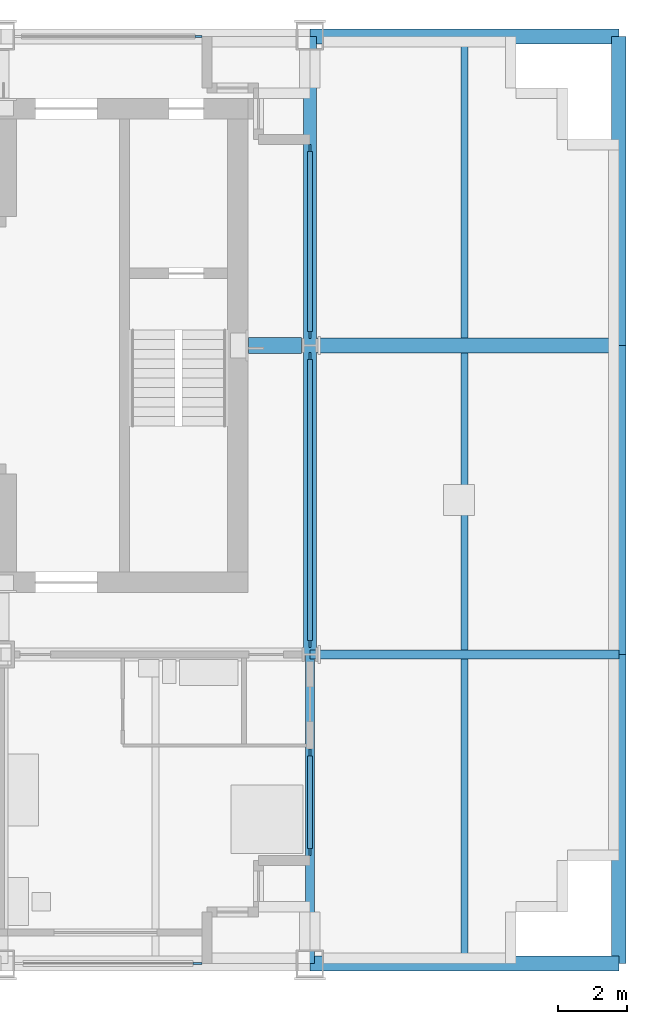
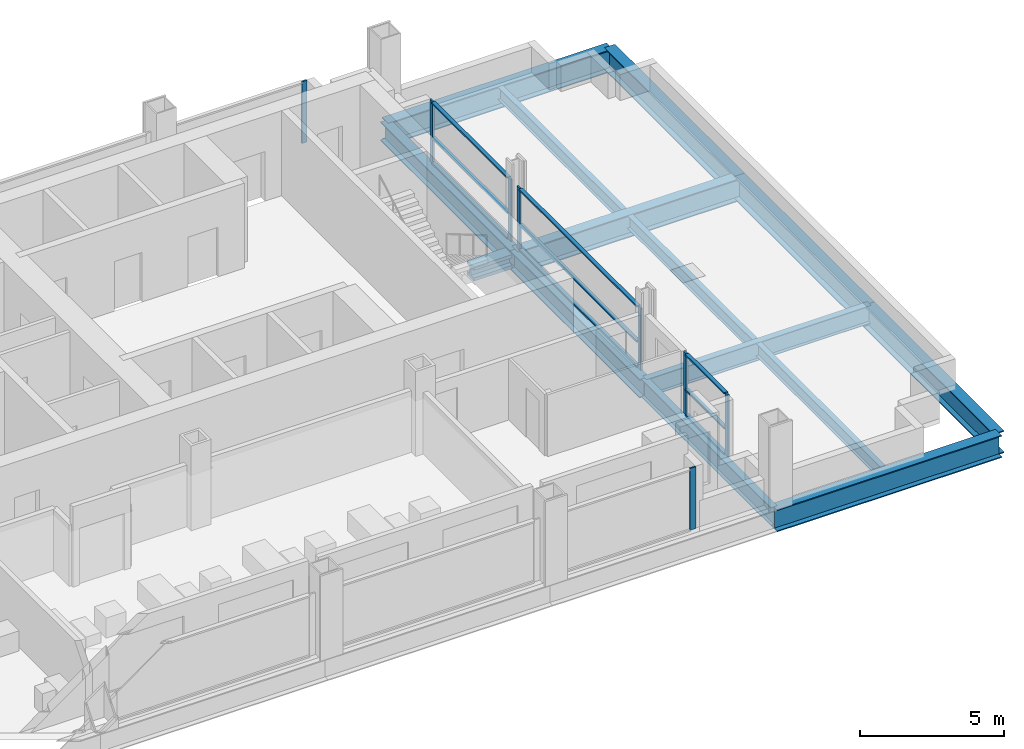
# One storey, part 4 of 12: 18 members, 13 beams, 5 elements without a shape of their own.
"""IFC4 building model written with IfcOpenShell, lengths in metres."""

from ifc_helpers import new_model, si_unit, direction, frame, origin, origin_2d, place, context, subcontext, project, spatial, rectangle, i_section, extrude, material, material_profile, profile_set, type_object, element, aggregate, save


model = new_model("IFC4")

# Units and contexts
model_context = context("Model", 3, precision=1e-05, world=origin(), true_north=direction((0.0, 1.0)))
body_context = subcontext(model_context, "Body", "Model", "MODEL_VIEW")
ifc_project = project(units=[si_unit("LENGTHUNIT", "METRE"), si_unit("AREAUNIT", "SQUARE_METRE"), si_unit("VOLUMEUNIT", "CUBIC_METRE"), si_unit("PLANEANGLEUNIT", "RADIAN"), si_unit("MASSUNIT", "GRAM", prefix="KILO")], contexts=[model_context])

# Site, building, storey
site_placement = place(None, origin())
site = spatial("IfcSite", under=ifc_project, at=site_placement, CompositionType="ELEMENT")
building_placement = place(site_placement, origin())
building = spatial("IfcBuilding", under=site, at=building_placement, Name="Loomwork Tower", CompositionType="ELEMENT")
storey_placement = place(building_placement, frame((0.0, 0.0, 226.60009765625)))
storey = spatial("IfcBuildingStorey", under=building, at=storey_placement, Name="L62", CompositionType="ELEMENT", Elevation=226.60009765625)

# Beams
ifc_material_1 = material(Name="Steel ASTM A992", Category="steel")
ifc_material_profile_1 = material_profile(ifc_material_1, i_section(OverallWidth=0.424072265625, OverallDepth=0.947509765625, WebThickness=0.02392578125, FlangeThickness=0.042724609375, at=origin_2d()), Name="W36x302")
ifc_profile_set_1 = profile_set([ifc_material_profile_1], Name="Steel ASTM A992")
beam_type_1 = type_object("IfcBeamType", Name="BELT CHORD SPANDREL W36x302", PredefinedType="SPANDREL", material=ifc_profile_set_1)
for number, where, z_axis, x_axis, name in (
    (1, (36.0, 0.0, -0.673828125), (1.0, 0.0, 0.0), (0.0, 1.0, 0.0), "Belt Chord Spandrel D/6-D/7 L62"),
    (2, (36.0, 27.0, -0.673828125), (1.0, 0.0, 0.0), (0.0, 1.0, 0.0), "Belt Chord Spandrel G/6-G/7 L62"),
    (3, (45.0, 0.0, -0.673828125), (0.0, 1.0, 0.0), (-1.0, 0.0, 0.0), "Belt Chord Spandrel D/7-E/7 L62"),
    (4, (45.0, 9.0, -0.673828125), (0.0, 1.0, 0.0), (-1.0, 0.0, 0.0), "Belt Chord Spandrel E/7-F/7 L62"),
    (5, (45.0, 18.0, -0.673828125), (0.0, 1.0, 0.0), (-1.0, 0.0, 0.0), "Belt Chord Spandrel F/7-G/7 L62"),
):
    element("IfcBeam", number, at=place(storey_placement, frame(where, z_axis=z_axis, x_axis=x_axis)), inside=storey, type_object=beam_type_1, Name=name, PredefinedType="SPANDREL", context=body_context, shape_type="SweptSolid", body=[
        extrude(i_section(OverallWidth=0.424072265625, OverallDepth=0.947509765625, WebThickness=0.02392578125, FlangeThickness=0.042724609375, at=origin_2d()), origin(), (0.0, 0.0, 1.0), 9.0),
    ])
ifc_material_2 = material(Name="Steel ASTM A992", Category="steel")
ifc_material_profile_2 = material_profile(ifc_material_2, i_section(OverallWidth=0.383544921875, OverallDepth=0.794921875, WebThickness=0.02099609375, FlangeThickness=0.0380859375, at=origin_2d()), Name="W30x235")
ifc_profile_set_2 = profile_set([ifc_material_profile_2], Name="Steel ASTM A992")
beam_type_2 = type_object("IfcBeamType", Name="CORE FLANK GIRDER W30x235", PredefinedType="BEAM", material=ifc_profile_set_2)
for number, where, z_axis, x_axis, name in (
    (6, (36.0, 9.0, -0.59765625), (0.0, 1.0, 0.0), (-1.0, 0.0, 0.0), "Core Flank Girder E/6-F/6 L62"),
    (7, (36.0, 18.0, -0.59765625), (0.0, 1.0, 0.0), (-1.0, 0.0, 0.0), "Core Flank Girder F/6-G/6 L62"),
):
    element("IfcBeam", number, at=place(storey_placement, frame(where, z_axis=z_axis, x_axis=x_axis)), inside=storey, type_object=beam_type_2, Name=name, PredefinedType="BEAM", context=body_context, shape_type="SweptSolid", body=[
        extrude(i_section(OverallWidth=0.383544921875, OverallDepth=0.794921875, WebThickness=0.02099609375, FlangeThickness=0.0380859375, at=origin_2d()), origin(), (0.0, 0.0, 1.0), 9.0),
    ])
ifc_material_3 = material(Name="Steel ASTM A992", Category="steel")
ifc_material_profile_3 = material_profile(ifc_material_3, i_section(OverallWidth=0.2666015625, OverallDepth=0.761962890625, WebThickness=0.014404296875, FlangeThickness=0.021484375, at=origin_2d()), Name="W30x116")
ifc_profile_set_3 = profile_set([ifc_material_profile_3], Name="Steel ASTM A992")
beam_type_3 = type_object("IfcBeamType", Name="FLOOR GIRDER W30x116", PredefinedType="BEAM", material=ifc_profile_set_3)
for number, where, z_axis, x_axis, name in (
    (8, (36.0, 9.0, -0.5810546875), (1.0, 0.0, 0.0), (0.0, 1.0, 0.0), "Floor Girder E/6-E/7 L62"),
    (9, (36.0, 0.0, -0.5810546875), (0.0, 1.0, 0.0), (-1.0, 0.0, 0.0), "Floor Girder D/6-E/6 L62"),
):
    element("IfcBeam", number, at=place(storey_placement, frame(where, z_axis=z_axis, x_axis=x_axis)), inside=storey, type_object=beam_type_3, Name=name, PredefinedType="BEAM", context=body_context, shape_type="SweptSolid", body=[
        extrude(i_section(OverallWidth=0.2666015625, OverallDepth=0.761962890625, WebThickness=0.014404296875, FlangeThickness=0.021484375, at=origin_2d()), origin(), (0.0, 0.0, 1.0), 9.0),
    ])
ifc_material_4 = material(Name="Steel ASTM A992", Category="steel")
ifc_material_profile_4 = material_profile(ifc_material_4, i_section(OverallWidth=0.21240234375, OverallDepth=0.54345703125, WebThickness=0.01318359375, FlangeThickness=0.021240234375, at=origin_2d()), Name="W21x83")
ifc_profile_set_4 = profile_set([ifc_material_profile_4], Name="Steel ASTM A992")
beam_type_4 = type_object("IfcBeamType", Name="FLOOR JOIST W21x83", PredefinedType="JOIST", material=ifc_profile_set_4)
for number, where, z_axis, x_axis, name in (
    (10, (40.5, 0.2119140625, -0.471923828125), (0.0, 1.0, 0.0), (-1.0, 0.0, 0.0), "Floor Joist 40.500,0.000-40.500,9.000 L62"),
    (11, (40.5, 9.133056640625, -0.471923828125), (0.0, 1.0, 0.0), (-1.0, 0.0, 0.0), "Floor Joist 40.500,9.000-40.500,18.000 L62"),
):
    element("IfcBeam", number, at=place(storey_placement, frame(where, z_axis=z_axis, x_axis=x_axis)), inside=storey, type_object=beam_type_4, Name=name, PredefinedType="JOIST", context=body_context, shape_type="SweptSolid", body=[
        extrude(i_section(OverallWidth=0.21240234375, OverallDepth=0.54345703125, WebThickness=0.01318359375, FlangeThickness=0.021240234375, at=origin_2d()), origin(), (0.0, 0.0, 1.0), 8.655029296875),
    ])
beam_1_placement = place(storey_placement, frame((40.5, 18.2119140625, -0.471923828125), z_axis=(0.0, 1.0, 0.0), x_axis=(-1.0, 0.0, 0.0)))
element("IfcBeam", 12, at=beam_1_placement, inside=storey, type_object=beam_type_4, Name="Floor Joist 40.500,18.000-40.500,27.000 L62", PredefinedType="JOIST", context=body_context, shape_type="SweptSolid", body=[
    extrude(i_section(OverallWidth=0.21240234375, OverallDepth=0.54345703125, WebThickness=0.01318359375, FlangeThickness=0.021240234375, at=origin_2d()), origin(), (0.0, 0.0, 1.0), 8.576171875),
])
ifc_material_5 = material(Name="Steel ASTM A992", Category="steel")
ifc_material_profile_5 = material_profile(ifc_material_5, i_section(OverallWidth=0.424072265625, OverallDepth=0.947509765625, WebThickness=0.02392578125, FlangeThickness=0.042724609375, at=origin_2d()), Name="W36x302")
ifc_profile_set_5 = profile_set([ifc_material_profile_5], Name="Steel ASTM A992")
beam_type_5 = type_object("IfcBeamType", Name="OUTRIGGER GIRDER W36x302", PredefinedType="BEAM", material=ifc_profile_set_5)
beam_2_placement = place(storey_placement, frame((36.0, 18.0, -0.673828125), z_axis=(1.0, 0.0, 0.0), x_axis=(0.0, 1.0, 0.0)))
element("IfcBeam", 13, at=beam_2_placement, inside=storey, type_object=beam_type_5, Name="Outrigger Girder F/6-F/7 L62", PredefinedType="BEAM", context=body_context, shape_type="SweptSolid", body=[
    extrude(i_section(OverallWidth=0.424072265625, OverallDepth=0.947509765625, WebThickness=0.02392578125, FlangeThickness=0.042724609375, at=origin_2d()), origin(), (0.0, 0.0, 1.0), 9.0),
])

# Member
ifc_material_6 = material(Name="Steel ASTM A992", Category="steel")
ifc_material_profile_6 = material_profile(ifc_material_6, i_section(OverallWidth=0.4775390625, OverallDepth=0.599365234375, WebThickness=0.10009765625, FlangeThickness=0.139892578125, at=origin_2d()), Name="W14x873")
ifc_profile_set_6 = profile_set([ifc_material_profile_6], Name="Steel ASTM A992")
member_type_1 = type_object("IfcMemberType", Name="OUTRIGGER STRUT W14x873", PredefinedType="STRUT", material=ifc_profile_set_6)
member_1_placement = place(storey_placement, frame((35.757568359375, 18.0, -0.499755859375), z_axis=(-1.0, 0.0, 0.0), x_axis=(0.0, -1.0, 0.0)))
element("IfcMember", 14, at=member_1_placement, inside=storey, type_object=member_type_1, Name="Outrigger strut F/6-33.900,18.000 L62", PredefinedType="STRUT", context=body_context, shape_type="SweptSolid", body=[
    extrude(i_section(OverallWidth=0.4775390625, OverallDepth=0.599365234375, WebThickness=0.10009765625, FlangeThickness=0.139892578125, at=origin_2d()), origin(), (0.0, 0.0, 1.0), 1.54248046875),
])

# Curtain wall, member
ifc_material_7 = material(Name="Aluminium curtain wall frame", Category="aluminium")
curtain_wall_type_1 = type_object("IfcCurtainWallType", Name="Outer skin glazing suites", PredefinedType="NOTDEFINED", material=ifc_material_7)
curtain_wall_1_placement = place(storey_placement, origin())
curtain_wall_1 = element("IfcCurtainWall", 15, at=curtain_wall_1_placement, inside=storey, type_object=curtain_wall_type_1, Name="Outer skin glazing suites cw/S-27", PredefinedType="NOTDEFINED")
ifc_material_8 = material(Name="Aluminium curtain wall frame", Category="aluminium")
ifc_material_profile_7 = material_profile(ifc_material_8, rectangle(XDim=0.06494140625, YDim=0.25, at=origin_2d()), Name="AL 65x250")
ifc_profile_set_7 = profile_set([ifc_material_profile_7], Name="Aluminium curtain wall frame")
member_type_2 = type_object("IfcMemberType", Name="Outer skin glazing suites mullion", PredefinedType="MULLION", material=ifc_profile_set_7)
member_2_placement = place(storey_placement, frame((32.72509765625, 0.0, 0.0), z_axis=(0.0, 0.0, 1.0), x_axis=(0.0, 1.0, 0.0)))
member_2 = element("IfcMember", 16, at=member_2_placement, type_object=member_type_2, Name="CW2 mullion 2", PredefinedType="MULLION", context=body_context, shape_type="SweptSolid", body=[
    extrude(rectangle(XDim=0.06494140625, YDim=0.25, at=origin_2d()), origin(), (0.0, 0.0, 1.0), 2.6201171875),
])
aggregate(curtain_wall_1, [member_2])

ifc_material_9 = material(Name="Aluminium curtain wall frame", Category="aluminium")
curtain_wall_type_2 = type_object("IfcCurtainWallType", Name="Single skin glazing corridor", PredefinedType="NOTDEFINED", material=ifc_material_9)
curtain_wall_2_placement = place(storey_placement, origin())
curtain_wall_2 = element("IfcCurtainWall", 17, at=curtain_wall_2_placement, inside=storey, type_object=curtain_wall_type_2, Name="Single skin glazing corridor cw/N-27", PredefinedType="NOTDEFINED")
ifc_material_10 = material(Name="Aluminium curtain wall frame", Category="aluminium")
ifc_material_profile_8 = material_profile(ifc_material_10, rectangle(XDim=0.06494140625, YDim=0.199951171875, at=origin_2d()), Name="AL 65x200")
ifc_profile_set_8 = profile_set([ifc_material_profile_8], Name="Aluminium curtain wall frame")
member_type_3 = type_object("IfcMemberType", Name="Single skin glazing corridor mullion", PredefinedType="MULLION", material=ifc_profile_set_8)
member_3_placement = place(storey_placement, frame((32.75, 27.0, 0.0), z_axis=(0.0, 0.0, 1.0), x_axis=(0.0, -1.0, 0.0)))
member_3 = element("IfcMember", 18, at=member_3_placement, type_object=member_type_3, Name="CW3 mullion 1", PredefinedType="MULLION", context=body_context, shape_type="SweptSolid", body=[
    extrude(rectangle(XDim=0.06494140625, YDim=0.199951171875, at=origin_2d()), origin(), (0.0, 0.0, 1.0), 2.6201171875),
])
aggregate(curtain_wall_2, [member_3])

# Curtain wall, members
curtain_wall_3_placement = place(storey_placement, origin())
curtain_wall_3 = element("IfcCurtainWall", 19, at=curtain_wall_3_placement, inside=storey, type_object=curtain_wall_type_2, Name="Single skin glazing corridor cw/E-0", PredefinedType="NOTDEFINED")
member_4_placement = place(storey_placement, frame((36.0, 3.25, 0.0), z_axis=(0.0, 0.0, 1.0), x_axis=(-1.0, 0.0, 0.0)))
member_4 = element("IfcMember", 20, at=member_4_placement, type_object=member_type_3, Name="CW3 mullion 1", PredefinedType="MULLION", context=body_context, shape_type="SweptSolid", body=[
    extrude(rectangle(XDim=0.06494140625, YDim=0.199951171875, at=origin_2d()), origin(), (0.0, 0.0, 1.0), 2.6201171875),
])
member_5_placement = place(storey_placement, frame((36.0, 6.14990234375, 0.0), z_axis=(0.0, 0.0, 1.0), x_axis=(-1.0, 0.0, 0.0)))
member_5 = element("IfcMember", 21, at=member_5_placement, type_object=member_type_3, Name="CW3 mullion 2", PredefinedType="MULLION", context=body_context, shape_type="SweptSolid", body=[
    extrude(rectangle(XDim=0.06494140625, YDim=0.199951171875, at=origin_2d()), origin(), (0.0, 0.0, 1.0), 2.6201171875),
])

curtain_wall_4_placement = place(storey_placement, origin())
curtain_wall_4 = element("IfcCurtainWall", 22, at=curtain_wall_4_placement, inside=storey, type_object=curtain_wall_type_2, Name="Single skin glazing corridor cw/E-9", PredefinedType="NOTDEFINED")
member_6_placement = place(storey_placement, frame((36.0, 9.310791015625, 0.0), z_axis=(0.0, 0.0, 1.0), x_axis=(-1.0, 0.0, 0.0)))
member_6 = element("IfcMember", 23, at=member_6_placement, type_object=member_type_3, Name="CW3 mullion 1", PredefinedType="MULLION", context=body_context, shape_type="SweptSolid", body=[
    extrude(rectangle(XDim=0.06494140625, YDim=0.199951171875, at=origin_2d()), origin(), (0.0, 0.0, 1.0), 2.6201171875),
])
member_7_placement = place(storey_placement, frame((36.0, 17.689208984375, 0.0), z_axis=(0.0, 0.0, 1.0), x_axis=(-1.0, 0.0, 0.0)))
member_7 = element("IfcMember", 24, at=member_7_placement, type_object=member_type_3, Name="CW3 mullion 2", PredefinedType="MULLION", context=body_context, shape_type="SweptSolid", body=[
    extrude(rectangle(XDim=0.06494140625, YDim=0.199951171875, at=origin_2d()), origin(), (0.0, 0.0, 1.0), 2.6201171875),
])

curtain_wall_5_placement = place(storey_placement, origin())
curtain_wall_5 = element("IfcCurtainWall", 25, at=curtain_wall_5_placement, inside=storey, type_object=curtain_wall_type_2, Name="Single skin glazing corridor cw/E-18", PredefinedType="NOTDEFINED")
member_8_placement = place(storey_placement, frame((36.0, 18.310791015625, 0.0), z_axis=(0.0, 0.0, 1.0), x_axis=(-1.0, 0.0, 0.0)))
member_8 = element("IfcMember", 26, at=member_8_placement, type_object=member_type_3, Name="CW3 mullion 1", PredefinedType="MULLION", context=body_context, shape_type="SweptSolid", body=[
    extrude(rectangle(XDim=0.06494140625, YDim=0.199951171875, at=origin_2d()), origin(), (0.0, 0.0, 1.0), 2.6201171875),
])
member_9_placement = place(storey_placement, frame((36.0, 23.75, 0.0), z_axis=(0.0, 0.0, 1.0), x_axis=(-1.0, 0.0, 0.0)))
member_9 = element("IfcMember", 27, at=member_9_placement, type_object=member_type_3, Name="CW3 mullion 2", PredefinedType="MULLION", context=body_context, shape_type="SweptSolid", body=[
    extrude(rectangle(XDim=0.06494140625, YDim=0.199951171875, at=origin_2d()), origin(), (0.0, 0.0, 1.0), 2.6201171875),
])

# Member
ifc_material_11 = material(Name="Aluminium curtain wall frame", Category="aluminium")
ifc_material_profile_9 = material_profile(ifc_material_11, rectangle(XDim=0.14990234375, YDim=0.06494140625, at=origin_2d()), Name="AL 65x150")
ifc_profile_set_9 = profile_set([ifc_material_profile_9], Name="Aluminium curtain wall frame")
member_type_4 = type_object("IfcMemberType", Name="Single skin glazing corridor transom", PredefinedType="USERDEFINED", material=ifc_profile_set_9)
member_10_placement = place(storey_placement, frame((36.0, 3.35009765625, 0.032470703125), z_axis=(0.0, 1.0, 0.0), x_axis=(-1.0, 0.0, 0.0)))
member_10 = element("IfcMember", 28, at=member_10_placement, type_object=member_type_4, Name="CW3 transom 1.1", ObjectType="TRANSOM", PredefinedType="USERDEFINED", context=body_context, shape_type="SweptSolid", body=[
    extrude(rectangle(XDim=0.14990234375, YDim=0.06494140625, at=origin_2d()), origin(), (0.0, 0.0, 1.0), 2.699951171875),
])

member_11_placement = place(storey_placement, frame((36.0, 3.35009765625, 1.099853515625), z_axis=(0.0, 1.0, 0.0), x_axis=(-1.0, 0.0, 0.0)))
member_11 = element("IfcMember", 29, at=member_11_placement, type_object=member_type_4, Name="CW3 transom 1.2", ObjectType="TRANSOM", PredefinedType="USERDEFINED", context=body_context, shape_type="SweptSolid", body=[
    extrude(rectangle(XDim=0.14990234375, YDim=0.06494140625, at=origin_2d()), origin(), (0.0, 0.0, 1.0), 2.699951171875),
])

member_12_placement = place(storey_placement, frame((36.0, 3.35009765625, 2.587646484375), z_axis=(0.0, 1.0, 0.0), x_axis=(-1.0, 0.0, 0.0)))
member_12 = element("IfcMember", 30, at=member_12_placement, type_object=member_type_4, Name="CW3 transom 1.3", ObjectType="TRANSOM", PredefinedType="USERDEFINED", context=body_context, shape_type="SweptSolid", body=[
    extrude(rectangle(XDim=0.14990234375, YDim=0.06494140625, at=origin_2d()), origin(), (0.0, 0.0, 1.0), 2.699951171875),
])

aggregate(curtain_wall_3, [member_4, member_5, member_10, member_11, member_12])

member_13_placement = place(storey_placement, frame((36.0, 9.410888671875, 0.032470703125), z_axis=(0.0, 1.0, 0.0), x_axis=(-1.0, 0.0, 0.0)))
member_13 = element("IfcMember", 31, at=member_13_placement, type_object=member_type_4, Name="CW3 transom 1.1", ObjectType="TRANSOM", PredefinedType="USERDEFINED", context=body_context, shape_type="SweptSolid", body=[
    extrude(rectangle(XDim=0.14990234375, YDim=0.06494140625, at=origin_2d()), origin(), (0.0, 0.0, 1.0), 8.17822265625),
])

member_14_placement = place(storey_placement, frame((36.0, 9.410888671875, 1.099853515625), z_axis=(0.0, 1.0, 0.0), x_axis=(-1.0, 0.0, 0.0)))
member_14 = element("IfcMember", 32, at=member_14_placement, type_object=member_type_4, Name="CW3 transom 1.2", ObjectType="TRANSOM", PredefinedType="USERDEFINED", context=body_context, shape_type="SweptSolid", body=[
    extrude(rectangle(XDim=0.14990234375, YDim=0.06494140625, at=origin_2d()), origin(), (0.0, 0.0, 1.0), 8.17822265625),
])

member_15_placement = place(storey_placement, frame((36.0, 9.410888671875, 2.587646484375), z_axis=(0.0, 1.0, 0.0), x_axis=(-1.0, 0.0, 0.0)))
member_15 = element("IfcMember", 33, at=member_15_placement, type_object=member_type_4, Name="CW3 transom 1.3", ObjectType="TRANSOM", PredefinedType="USERDEFINED", context=body_context, shape_type="SweptSolid", body=[
    extrude(rectangle(XDim=0.14990234375, YDim=0.06494140625, at=origin_2d()), origin(), (0.0, 0.0, 1.0), 8.17822265625),
])

aggregate(curtain_wall_4, [member_6, member_7, member_13, member_14, member_15])

member_16_placement = place(storey_placement, frame((36.0, 18.410888671875, 0.032470703125), z_axis=(0.0, 1.0, 0.0), x_axis=(-1.0, 0.0, 0.0)))
member_16 = element("IfcMember", 34, at=member_16_placement, type_object=member_type_4, Name="CW3 transom 1.1", ObjectType="TRANSOM", PredefinedType="USERDEFINED", context=body_context, shape_type="SweptSolid", body=[
    extrude(rectangle(XDim=0.14990234375, YDim=0.06494140625, at=origin_2d()), origin(), (0.0, 0.0, 1.0), 5.239013671875),
])

member_17_placement = place(storey_placement, frame((36.0, 18.410888671875, 1.099853515625), z_axis=(0.0, 1.0, 0.0), x_axis=(-1.0, 0.0, 0.0)))
member_17 = element("IfcMember", 35, at=member_17_placement, type_object=member_type_4, Name="CW3 transom 1.2", ObjectType="TRANSOM", PredefinedType="USERDEFINED", context=body_context, shape_type="SweptSolid", body=[
    extrude(rectangle(XDim=0.14990234375, YDim=0.06494140625, at=origin_2d()), origin(), (0.0, 0.0, 1.0), 5.239013671875),
])

member_18_placement = place(storey_placement, frame((36.0, 18.410888671875, 2.587646484375), z_axis=(0.0, 1.0, 0.0), x_axis=(-1.0, 0.0, 0.0)))
member_18 = element("IfcMember", 36, at=member_18_placement, type_object=member_type_4, Name="CW3 transom 1.3", ObjectType="TRANSOM", PredefinedType="USERDEFINED", context=body_context, shape_type="SweptSolid", body=[
    extrude(rectangle(XDim=0.14990234375, YDim=0.06494140625, at=origin_2d()), origin(), (0.0, 0.0, 1.0), 5.239013671875),
])

aggregate(curtain_wall_5, [member_8, member_9, member_16, member_17, member_18])

save(model, "model.ifc")
